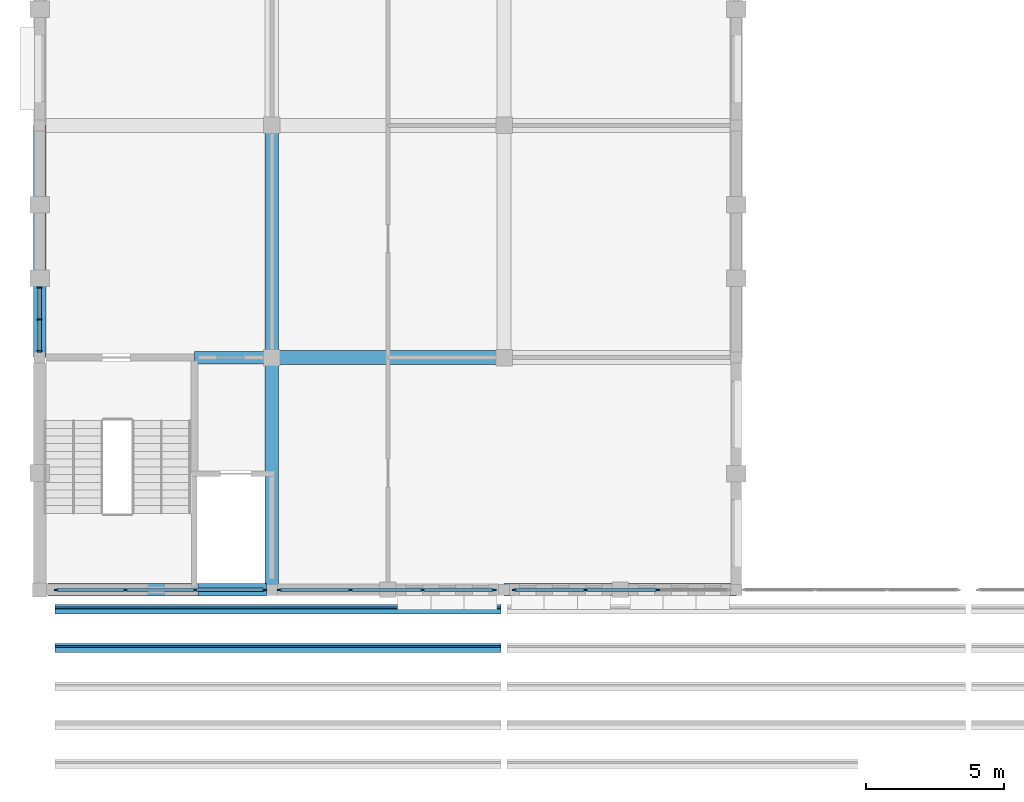
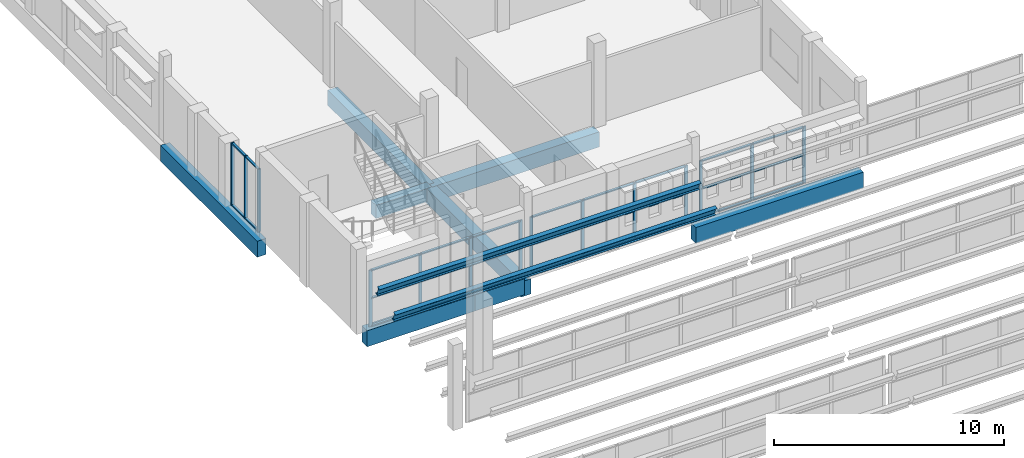
# One storey, part 12 of 116: 44 members, 8 beams, 4 elements without a shape of their own.
"""IFC4 building model written with IfcOpenShell, lengths in metres."""

from ifc_helpers import new_model, si_unit, direction, frame, origin, origin_2d, place, context, subcontext, project, spatial, rectangle, i_section, extrude, material, material_profile, profile_set, type_object, element, aggregate, save


model = new_model("IFC4")

# Units and contexts
model_context = context("Model", 3, precision=1e-05, world=origin(), true_north=direction((0.0, 1.0)))
body_context = subcontext(model_context, "Body", "Model", "MODEL_VIEW")
ifc_project = project(units=[si_unit("LENGTHUNIT", "METRE"), si_unit("AREAUNIT", "SQUARE_METRE"), si_unit("VOLUMEUNIT", "CUBIC_METRE"), si_unit("PLANEANGLEUNIT", "RADIAN"), si_unit("MASSUNIT", "GRAM", prefix="KILO")], contexts=[model_context])

# Site, building, storey
site_placement = place(None, origin())
site = spatial("IfcSite", under=ifc_project, at=site_placement, CompositionType="ELEMENT")
building_placement = place(site_placement, origin())
building = spatial("IfcBuilding", under=site, at=building_placement, Name="Fescue Hill Polytechnic", CompositionType="ELEMENT")
storey_placement = place(building_placement, frame((0.0, 0.0, 13.5)))
storey = spatial("IfcBuildingStorey", under=building, at=storey_placement, Name="L03", CompositionType="ELEMENT", Elevation=13.5)

# Beams
ifc_material_1 = material(Name="Concrete 35 MPa", Category="concrete")
ifc_material_profile_1 = material_profile(ifc_material_1, rectangle(XDim=0.449951171875, YDim=0.699951171875, at=origin_2d()), Name="RC 450x700")
ifc_profile_set_1 = profile_set([ifc_material_profile_1], Name="Concrete 35 MPa")
beam_type_1 = type_object("IfcBeamType", Name="Beam RC 450x700", PredefinedType="BEAM", material=ifc_profile_set_1)
beam_1_placement = place(storey_placement, frame((5.60009765625, 58.800048828125, -0.64990234375), z_axis=(1.0, 0.0, 0.0), x_axis=(0.0, 1.0, 0.0)))
element("IfcBeam", 1, at=beam_1_placement, inside=storey, type_object=beam_type_1, Name="BM-L03-0014", PredefinedType="BEAM", context=body_context, shape_type="SweptSolid", body=[
    extrude(rectangle(XDim=0.449951171875, YDim=0.699951171875, at=origin_2d()), origin(), (0.0, 0.0, 1.0), 2.789794921875),
])
ifc_material_profile_2 = material_profile(ifc_material_1, rectangle(XDim=0.449951171875, YDim=0.85009765625, at=origin_2d()), Name="RC 450x850")
ifc_profile_set_2 = profile_set([ifc_material_profile_2], Name="Concrete 35 MPa")
beam_type_2 = type_object("IfcBeamType", Name="Beam RC 450x850", PredefinedType="BEAM", material=ifc_profile_set_2)
for number, where, z_axis, x_axis, name in (
    (2, (0.0, 58.800048828125, -0.72509765625), (0.0, 1.0, 0.0), (-1.0, 0.0, 0.0), "BM-L03-0001"),
    (3, (16.800048828125, 50.39990234375, -0.72509765625), (1.0, 0.0, 0.0), (0.0, 1.0, 0.0), "BM-L03-0032"),
):
    element("IfcBeam", number, at=place(storey_placement, frame(where, z_axis=z_axis, x_axis=x_axis)), inside=storey, type_object=beam_type_2, Name=name, PredefinedType="BEAM", context=body_context, shape_type="SweptSolid", body=[
        extrude(rectangle(XDim=0.449951171875, YDim=0.85009765625, at=origin_2d()), origin(), (0.0, 0.0, 1.0), 8.39990234375),
    ])
beam_2_placement = place(storey_placement, frame((0.300048828125, 50.39990234375, -0.425048828125), z_axis=(1.0, 0.0, 0.0), x_axis=(0.0, 1.0, 0.0)))
element("IfcBeam", 4, at=beam_2_placement, inside=storey, type_object=beam_type_2, Name="BM-L03-0130", PredefinedType="BEAM", context=body_context, shape_type="SweptSolid", body=[
    extrude(rectangle(XDim=0.449951171875, YDim=0.85009765625, at=origin_2d()), origin(), (0.0, 0.0, 1.0), 5.425048828125),
])
beam_3_placement = place(storey_placement, frame((5.72509765625, 50.39990234375, -0.425048828125), z_axis=(1.0, 0.0, 0.0), x_axis=(0.0, 1.0, 0.0)))
element("IfcBeam", 5, at=beam_3_placement, inside=storey, type_object=beam_type_2, Name="BM-L03-0131", PredefinedType="BEAM", context=body_context, shape_type="SweptSolid", body=[
    extrude(rectangle(XDim=0.449951171875, YDim=0.85009765625, at=origin_2d()), origin(), (0.0, 0.0, 1.0), 2.474853515625),
])
ifc_material_profile_3 = material_profile(ifc_material_1, rectangle(XDim=0.5, YDim=0.800048828125, at=origin_2d()), Name="RC 500x800")
ifc_profile_set_3 = profile_set([ifc_material_profile_3], Name="Concrete 35 MPa")
beam_type_3 = type_object("IfcBeamType", Name="Beam RC 500x800", PredefinedType="BEAM", material=ifc_profile_set_3)
beam_4_placement = place(storey_placement, frame((8.39990234375, 50.39990234375, -0.699951171875), z_axis=(0.0, 1.0, 0.0), x_axis=(-1.0, 0.0, 0.0)))
element("IfcBeam", 6, at=beam_4_placement, inside=storey, type_object=beam_type_3, Name="BM-L03-0016", PredefinedType="BEAM", context=body_context, shape_type="SweptSolid", body=[
    extrude(rectangle(XDim=0.5, YDim=0.800048828125, at=origin_2d()), origin(), (0.0, 0.0, 1.0), 8.400146484375),
])
beam_5_placement = place(storey_placement, frame((8.39990234375, 58.800048828125, -0.699951171875), z_axis=(0.0, 1.0, 0.0), x_axis=(-1.0, 0.0, 0.0)))
element("IfcBeam", 7, at=beam_5_placement, inside=storey, type_object=beam_type_3, Name="BM-L03-0017", PredefinedType="BEAM", context=body_context, shape_type="SweptSolid", body=[
    extrude(rectangle(XDim=0.5, YDim=0.800048828125, at=origin_2d()), origin(), (0.0, 0.0, 1.0), 8.39990234375),
])
beam_6_placement = place(storey_placement, frame((8.409912109375, 58.800048828125, -0.699951171875), z_axis=(1.0, 0.0, 0.0), x_axis=(0.0, 1.0, 0.0)))
element("IfcBeam", 8, at=beam_6_placement, inside=storey, type_object=beam_type_3, Name="BM-L03-0024", PredefinedType="BEAM", context=body_context, shape_type="SweptSolid", body=[
    extrude(rectangle(XDim=0.5, YDim=0.800048828125, at=origin_2d()), origin(), (0.0, 0.0, 1.0), 8.380126953125),
])

# Curtain wall, members
ifc_material_2 = material(Name="Aluminium and glass", Category="aluminium")
curtain_wall_type_1 = type_object("IfcCurtainWallType", Name="Sawtooth north glazing curtain wall", PredefinedType="NOTDEFINED", material=ifc_material_2)
curtain_wall_1_placement = place(storey_placement, origin())
curtain_wall_1 = element("IfcCurtainWall", 9, at=curtain_wall_1_placement, inside=storey, type_object=curtain_wall_type_1, Name="Sawtooth 4 north glazing bay 1 part 1", PredefinedType="NOTDEFINED")
ifc_material_3 = material(Name="Aluminium", Category="aluminium")
ifc_material_profile_4 = material_profile(ifc_material_3, rectangle(XDim=0.06005859375, YDim=0.159912109375, at=origin_2d()), Name="Curtain wall mullion 60x160")
ifc_profile_set_4 = profile_set([ifc_material_profile_4], Name="Aluminium")
member_type_1 = type_object("IfcMemberType", Name="Curtain wall mullion 60x160", PredefinedType="MULLION", material=ifc_profile_set_4)
member_1_placement = place(storey_placement, frame((0.60009765625, 50.39990234375, 0.0), z_axis=(0.0, 0.0, 1.0), x_axis=(0.0, 1.0, 0.0)))
member_1 = element("IfcMember", 10, at=member_1_placement, type_object=member_type_1, Name="CW22 mullion 1", PredefinedType="MULLION", context=body_context, shape_type="SweptSolid", body=[
    extrude(rectangle(XDim=0.06005859375, YDim=0.159912109375, at=origin_2d()), origin(), (0.0, 0.0, 1.0), 3.0),
])
member_2_placement = place(storey_placement, frame((3.10009765625, 50.39990234375, 0.0), z_axis=(0.0, 0.0, 1.0), x_axis=(0.0, 1.0, 0.0)))
member_2 = element("IfcMember", 11, at=member_2_placement, type_object=member_type_1, Name="CW22 mullion 2", PredefinedType="MULLION", context=body_context, shape_type="SweptSolid", body=[
    extrude(rectangle(XDim=0.06005859375, YDim=0.159912109375, at=origin_2d()), origin(), (0.0, 0.0, 1.0), 3.0),
])
member_3_placement = place(storey_placement, frame((5.6298828125, 50.39990234375, 0.0), z_axis=(0.0, 0.0, 1.0), x_axis=(0.0, 1.0, 0.0)))
member_3 = element("IfcMember", 12, at=member_3_placement, type_object=member_type_1, Name="CW22 mullion 3", PredefinedType="MULLION", context=body_context, shape_type="SweptSolid", body=[
    extrude(rectangle(XDim=0.06005859375, YDim=0.159912109375, at=origin_2d()), origin(), (0.0, 0.0, 1.0), 3.0),
])
member_4_placement = place(storey_placement, frame((8.1298828125, 50.39990234375, 0.0), z_axis=(0.0, 0.0, 1.0), x_axis=(0.0, 1.0, 0.0)))
member_4 = element("IfcMember", 13, at=member_4_placement, type_object=member_type_1, Name="CW22 mullion 4", PredefinedType="MULLION", context=body_context, shape_type="SweptSolid", body=[
    extrude(rectangle(XDim=0.06005859375, YDim=0.159912109375, at=origin_2d()), origin(), (0.0, 0.0, 1.0), 3.0),
])

curtain_wall_2_placement = place(storey_placement, origin())
curtain_wall_2 = element("IfcCurtainWall", 14, at=curtain_wall_2_placement, inside=storey, type_object=curtain_wall_type_1, Name="Sawtooth 4 north glazing bay 1 part 2", PredefinedType="NOTDEFINED")
member_5_placement = place(storey_placement, frame((8.669921875, 50.39990234375, 0.0), z_axis=(0.0, 0.0, 1.0), x_axis=(0.0, 1.0, 0.0)))
member_5 = element("IfcMember", 15, at=member_5_placement, type_object=member_type_1, Name="CW23 mullion 1", PredefinedType="MULLION", context=body_context, shape_type="SweptSolid", body=[
    extrude(rectangle(XDim=0.06005859375, YDim=0.159912109375, at=origin_2d()), origin(), (0.0, 0.0, 1.0), 3.0),
])
member_6_placement = place(storey_placement, frame((11.24658203125, 50.39990234375, 0.0), z_axis=(0.0, 0.0, 1.0), x_axis=(0.0, 1.0, 0.0)))
member_6 = element("IfcMember", 16, at=member_6_placement, type_object=member_type_1, Name="CW23 mullion 2", PredefinedType="MULLION", context=body_context, shape_type="SweptSolid", body=[
    extrude(rectangle(XDim=0.06005859375, YDim=0.159912109375, at=origin_2d()), origin(), (0.0, 0.0, 1.0), 3.0),
])
member_7_placement = place(storey_placement, frame((13.853271484375, 50.39990234375, 0.0), z_axis=(0.0, 0.0, 1.0), x_axis=(0.0, 1.0, 0.0)))
member_7 = element("IfcMember", 17, at=member_7_placement, type_object=member_type_1, Name="CW23 mullion 3", PredefinedType="MULLION", context=body_context, shape_type="SweptSolid", body=[
    extrude(rectangle(XDim=0.06005859375, YDim=0.159912109375, at=origin_2d()), origin(), (0.0, 0.0, 1.0), 3.0),
])
member_8_placement = place(storey_placement, frame((16.429931640625, 50.39990234375, 0.0), z_axis=(0.0, 0.0, 1.0), x_axis=(0.0, 1.0, 0.0)))
member_8 = element("IfcMember", 18, at=member_8_placement, type_object=member_type_1, Name="CW23 mullion 4", PredefinedType="MULLION", context=body_context, shape_type="SweptSolid", body=[
    extrude(rectangle(XDim=0.06005859375, YDim=0.159912109375, at=origin_2d()), origin(), (0.0, 0.0, 1.0), 3.0),
])

curtain_wall_3_placement = place(storey_placement, origin())
curtain_wall_3 = element("IfcCurtainWall", 19, at=curtain_wall_3_placement, inside=storey, type_object=curtain_wall_type_1, Name="Sawtooth 4 north glazing bay 2 part 1", PredefinedType="NOTDEFINED")
member_9_placement = place(storey_placement, frame((17.169921875, 50.39990234375, 0.0), z_axis=(0.0, 0.0, 1.0), x_axis=(0.0, 1.0, 0.0)))
member_9 = element("IfcMember", 20, at=member_9_placement, type_object=member_type_1, Name="CW24 mullion 1", PredefinedType="MULLION", context=body_context, shape_type="SweptSolid", body=[
    extrude(rectangle(XDim=0.06005859375, YDim=0.159912109375, at=origin_2d()), origin(), (0.0, 0.0, 1.0), 3.0),
])
member_10_placement = place(storey_placement, frame((19.74658203125, 50.39990234375, 0.0), z_axis=(0.0, 0.0, 1.0), x_axis=(0.0, 1.0, 0.0)))
member_10 = element("IfcMember", 21, at=member_10_placement, type_object=member_type_1, Name="CW24 mullion 2", PredefinedType="MULLION", context=body_context, shape_type="SweptSolid", body=[
    extrude(rectangle(XDim=0.06005859375, YDim=0.159912109375, at=origin_2d()), origin(), (0.0, 0.0, 1.0), 3.0),
])
member_11_placement = place(storey_placement, frame((22.353271484375, 50.39990234375, 0.0), z_axis=(0.0, 0.0, 1.0), x_axis=(0.0, 1.0, 0.0)))
member_11 = element("IfcMember", 22, at=member_11_placement, type_object=member_type_1, Name="CW24 mullion 3", PredefinedType="MULLION", context=body_context, shape_type="SweptSolid", body=[
    extrude(rectangle(XDim=0.06005859375, YDim=0.159912109375, at=origin_2d()), origin(), (0.0, 0.0, 1.0), 3.0),
])

# Member
ifc_material_profile_5 = material_profile(ifc_material_3, rectangle(XDim=0.1201171875, YDim=0.06005859375, at=origin_2d()), Name="Curtain wall transom 60x120")
ifc_profile_set_5 = profile_set([ifc_material_profile_5], Name="Aluminium")
member_type_2 = type_object("IfcMemberType", Name="Curtain wall transom 60x120", PredefinedType="USERDEFINED", material=ifc_profile_set_5)
member_12_placement = place(storey_placement, frame((0.6298828125, 50.39990234375, 0.030029296875), z_axis=(1.0, 0.0, 0.0), x_axis=(0.0, 1.0, 0.0)))
member_12 = element("IfcMember", 23, at=member_12_placement, type_object=member_type_2, Name="CW22 transom 1.1", ObjectType="TRANSOM", PredefinedType="USERDEFINED", context=body_context, shape_type="SweptSolid", body=[
    extrude(rectangle(XDim=0.1201171875, YDim=0.06005859375, at=origin_2d()), origin(), (0.0, 0.0, 1.0), 2.440185546875),
])

member_13_placement = place(storey_placement, frame((0.6298828125, 50.39990234375, 1.5), z_axis=(1.0, 0.0, 0.0), x_axis=(0.0, 1.0, 0.0)))
member_13 = element("IfcMember", 24, at=member_13_placement, type_object=member_type_2, Name="CW22 transom 1.2", ObjectType="TRANSOM", PredefinedType="USERDEFINED", context=body_context, shape_type="SweptSolid", body=[
    extrude(rectangle(XDim=0.1201171875, YDim=0.06005859375, at=origin_2d()), origin(), (0.0, 0.0, 1.0), 2.440185546875),
])

member_14_placement = place(storey_placement, frame((0.6298828125, 50.39990234375, 2.969970703125), z_axis=(1.0, 0.0, 0.0), x_axis=(0.0, 1.0, 0.0)))
member_14 = element("IfcMember", 25, at=member_14_placement, type_object=member_type_2, Name="CW22 transom 1.3", ObjectType="TRANSOM", PredefinedType="USERDEFINED", context=body_context, shape_type="SweptSolid", body=[
    extrude(rectangle(XDim=0.1201171875, YDim=0.06005859375, at=origin_2d()), origin(), (0.0, 0.0, 1.0), 2.440185546875),
])

member_15_placement = place(storey_placement, frame((3.1298828125, 50.39990234375, 0.030029296875), z_axis=(1.0, 0.0, 0.0), x_axis=(0.0, 1.0, 0.0)))
member_15 = element("IfcMember", 26, at=member_15_placement, type_object=member_type_2, Name="CW22 transom 2.1", ObjectType="TRANSOM", PredefinedType="USERDEFINED", context=body_context, shape_type="SweptSolid", body=[
    extrude(rectangle(XDim=0.1201171875, YDim=0.06005859375, at=origin_2d()), origin(), (0.0, 0.0, 1.0), 2.47021484375),
])

member_16_placement = place(storey_placement, frame((3.1298828125, 50.39990234375, 1.5), z_axis=(1.0, 0.0, 0.0), x_axis=(0.0, 1.0, 0.0)))
member_16 = element("IfcMember", 27, at=member_16_placement, type_object=member_type_2, Name="CW22 transom 2.2", ObjectType="TRANSOM", PredefinedType="USERDEFINED", context=body_context, shape_type="SweptSolid", body=[
    extrude(rectangle(XDim=0.1201171875, YDim=0.06005859375, at=origin_2d()), origin(), (0.0, 0.0, 1.0), 2.47021484375),
])

member_17_placement = place(storey_placement, frame((3.1298828125, 50.39990234375, 2.969970703125), z_axis=(1.0, 0.0, 0.0), x_axis=(0.0, 1.0, 0.0)))
member_17 = element("IfcMember", 28, at=member_17_placement, type_object=member_type_2, Name="CW22 transom 2.3", ObjectType="TRANSOM", PredefinedType="USERDEFINED", context=body_context, shape_type="SweptSolid", body=[
    extrude(rectangle(XDim=0.1201171875, YDim=0.06005859375, at=origin_2d()), origin(), (0.0, 0.0, 1.0), 2.47021484375),
])

member_18_placement = place(storey_placement, frame((5.659912109375, 50.39990234375, 0.030029296875), z_axis=(1.0, 0.0, 0.0), x_axis=(0.0, 1.0, 0.0)))
member_18 = element("IfcMember", 29, at=member_18_placement, type_object=member_type_2, Name="CW22 transom 3.1", ObjectType="TRANSOM", PredefinedType="USERDEFINED", context=body_context, shape_type="SweptSolid", body=[
    extrude(rectangle(XDim=0.1201171875, YDim=0.06005859375, at=origin_2d()), origin(), (0.0, 0.0, 1.0), 2.440185546875),
])

member_19_placement = place(storey_placement, frame((5.659912109375, 50.39990234375, 1.5), z_axis=(1.0, 0.0, 0.0), x_axis=(0.0, 1.0, 0.0)))
member_19 = element("IfcMember", 30, at=member_19_placement, type_object=member_type_2, Name="CW22 transom 3.2", ObjectType="TRANSOM", PredefinedType="USERDEFINED", context=body_context, shape_type="SweptSolid", body=[
    extrude(rectangle(XDim=0.1201171875, YDim=0.06005859375, at=origin_2d()), origin(), (0.0, 0.0, 1.0), 2.440185546875),
])

member_20_placement = place(storey_placement, frame((5.659912109375, 50.39990234375, 2.969970703125), z_axis=(1.0, 0.0, 0.0), x_axis=(0.0, 1.0, 0.0)))
member_20 = element("IfcMember", 31, at=member_20_placement, type_object=member_type_2, Name="CW22 transom 3.3", ObjectType="TRANSOM", PredefinedType="USERDEFINED", context=body_context, shape_type="SweptSolid", body=[
    extrude(rectangle(XDim=0.1201171875, YDim=0.06005859375, at=origin_2d()), origin(), (0.0, 0.0, 1.0), 2.440185546875),
])

aggregate(curtain_wall_1, [member_1, member_2, member_3, member_4, member_12, member_13, member_14, member_15, member_16, member_17, member_18, member_19, member_20])

member_21_placement = place(storey_placement, frame((8.699951171875, 50.39990234375, 0.030029296875), z_axis=(1.0, 0.0, 0.0), x_axis=(0.0, 1.0, 0.0)))
member_21 = element("IfcMember", 32, at=member_21_placement, type_object=member_type_2, Name="CW23 transom 1.1", ObjectType="TRANSOM", PredefinedType="USERDEFINED", context=body_context, shape_type="SweptSolid", body=[
    extrude(rectangle(XDim=0.1201171875, YDim=0.06005859375, at=origin_2d()), origin(), (0.0, 0.0, 1.0), 2.5166015625),
])

member_22_placement = place(storey_placement, frame((8.699951171875, 50.39990234375, 1.5), z_axis=(1.0, 0.0, 0.0), x_axis=(0.0, 1.0, 0.0)))
member_22 = element("IfcMember", 33, at=member_22_placement, type_object=member_type_2, Name="CW23 transom 1.2", ObjectType="TRANSOM", PredefinedType="USERDEFINED", context=body_context, shape_type="SweptSolid", body=[
    extrude(rectangle(XDim=0.1201171875, YDim=0.06005859375, at=origin_2d()), origin(), (0.0, 0.0, 1.0), 2.5166015625),
])

member_23_placement = place(storey_placement, frame((8.699951171875, 50.39990234375, 2.969970703125), z_axis=(1.0, 0.0, 0.0), x_axis=(0.0, 1.0, 0.0)))
member_23 = element("IfcMember", 34, at=member_23_placement, type_object=member_type_2, Name="CW23 transom 1.3", ObjectType="TRANSOM", PredefinedType="USERDEFINED", context=body_context, shape_type="SweptSolid", body=[
    extrude(rectangle(XDim=0.1201171875, YDim=0.06005859375, at=origin_2d()), origin(), (0.0, 0.0, 1.0), 2.5166015625),
])

member_24_placement = place(storey_placement, frame((11.276611328125, 50.39990234375, 0.030029296875), z_axis=(1.0, 0.0, 0.0), x_axis=(0.0, 1.0, 0.0)))
member_24 = element("IfcMember", 35, at=member_24_placement, type_object=member_type_2, Name="CW23 transom 2.1", ObjectType="TRANSOM", PredefinedType="USERDEFINED", context=body_context, shape_type="SweptSolid", body=[
    extrude(rectangle(XDim=0.1201171875, YDim=0.06005859375, at=origin_2d()), origin(), (0.0, 0.0, 1.0), 2.546630859375),
])

member_25_placement = place(storey_placement, frame((11.276611328125, 50.39990234375, 1.5), z_axis=(1.0, 0.0, 0.0), x_axis=(0.0, 1.0, 0.0)))
member_25 = element("IfcMember", 36, at=member_25_placement, type_object=member_type_2, Name="CW23 transom 2.2", ObjectType="TRANSOM", PredefinedType="USERDEFINED", context=body_context, shape_type="SweptSolid", body=[
    extrude(rectangle(XDim=0.1201171875, YDim=0.06005859375, at=origin_2d()), origin(), (0.0, 0.0, 1.0), 2.546630859375),
])

member_26_placement = place(storey_placement, frame((11.276611328125, 50.39990234375, 2.969970703125), z_axis=(1.0, 0.0, 0.0), x_axis=(0.0, 1.0, 0.0)))
member_26 = element("IfcMember", 37, at=member_26_placement, type_object=member_type_2, Name="CW23 transom 2.3", ObjectType="TRANSOM", PredefinedType="USERDEFINED", context=body_context, shape_type="SweptSolid", body=[
    extrude(rectangle(XDim=0.1201171875, YDim=0.06005859375, at=origin_2d()), origin(), (0.0, 0.0, 1.0), 2.546630859375),
])

member_27_placement = place(storey_placement, frame((13.88330078125, 50.39990234375, 0.030029296875), z_axis=(1.0, 0.0, 0.0), x_axis=(0.0, 1.0, 0.0)))
member_27 = element("IfcMember", 38, at=member_27_placement, type_object=member_type_2, Name="CW23 transom 3.1", ObjectType="TRANSOM", PredefinedType="USERDEFINED", context=body_context, shape_type="SweptSolid", body=[
    extrude(rectangle(XDim=0.1201171875, YDim=0.06005859375, at=origin_2d()), origin(), (0.0, 0.0, 1.0), 2.5166015625),
])

member_28_placement = place(storey_placement, frame((13.88330078125, 50.39990234375, 1.5), z_axis=(1.0, 0.0, 0.0), x_axis=(0.0, 1.0, 0.0)))
member_28 = element("IfcMember", 39, at=member_28_placement, type_object=member_type_2, Name="CW23 transom 3.2", ObjectType="TRANSOM", PredefinedType="USERDEFINED", context=body_context, shape_type="SweptSolid", body=[
    extrude(rectangle(XDim=0.1201171875, YDim=0.06005859375, at=origin_2d()), origin(), (0.0, 0.0, 1.0), 2.5166015625),
])

member_29_placement = place(storey_placement, frame((13.88330078125, 50.39990234375, 2.969970703125), z_axis=(1.0, 0.0, 0.0), x_axis=(0.0, 1.0, 0.0)))
member_29 = element("IfcMember", 40, at=member_29_placement, type_object=member_type_2, Name="CW23 transom 3.3", ObjectType="TRANSOM", PredefinedType="USERDEFINED", context=body_context, shape_type="SweptSolid", body=[
    extrude(rectangle(XDim=0.1201171875, YDim=0.06005859375, at=origin_2d()), origin(), (0.0, 0.0, 1.0), 2.5166015625),
])

aggregate(curtain_wall_2, [member_5, member_6, member_7, member_8, member_21, member_22, member_23, member_24, member_25, member_26, member_27, member_28, member_29])

member_30_placement = place(storey_placement, frame((17.199951171875, 50.39990234375, 0.030029296875), z_axis=(1.0, 0.0, 0.0), x_axis=(0.0, 1.0, 0.0)))
member_30 = element("IfcMember", 41, at=member_30_placement, type_object=member_type_2, Name="CW24 transom 1.1", ObjectType="TRANSOM", PredefinedType="USERDEFINED", context=body_context, shape_type="SweptSolid", body=[
    extrude(rectangle(XDim=0.1201171875, YDim=0.06005859375, at=origin_2d()), origin(), (0.0, 0.0, 1.0), 2.5166015625),
])

member_31_placement = place(storey_placement, frame((17.199951171875, 50.39990234375, 1.5), z_axis=(1.0, 0.0, 0.0), x_axis=(0.0, 1.0, 0.0)))
member_31 = element("IfcMember", 42, at=member_31_placement, type_object=member_type_2, Name="CW24 transom 1.2", ObjectType="TRANSOM", PredefinedType="USERDEFINED", context=body_context, shape_type="SweptSolid", body=[
    extrude(rectangle(XDim=0.1201171875, YDim=0.06005859375, at=origin_2d()), origin(), (0.0, 0.0, 1.0), 2.5166015625),
])

member_32_placement = place(storey_placement, frame((17.199951171875, 50.39990234375, 2.969970703125), z_axis=(1.0, 0.0, 0.0), x_axis=(0.0, 1.0, 0.0)))
member_32 = element("IfcMember", 43, at=member_32_placement, type_object=member_type_2, Name="CW24 transom 1.3", ObjectType="TRANSOM", PredefinedType="USERDEFINED", context=body_context, shape_type="SweptSolid", body=[
    extrude(rectangle(XDim=0.1201171875, YDim=0.06005859375, at=origin_2d()), origin(), (0.0, 0.0, 1.0), 2.5166015625),
])

member_33_placement = place(storey_placement, frame((19.776611328125, 50.39990234375, 0.030029296875), z_axis=(1.0, 0.0, 0.0), x_axis=(0.0, 1.0, 0.0)))
member_33 = element("IfcMember", 44, at=member_33_placement, type_object=member_type_2, Name="CW24 transom 2.1", ObjectType="TRANSOM", PredefinedType="USERDEFINED", context=body_context, shape_type="SweptSolid", body=[
    extrude(rectangle(XDim=0.1201171875, YDim=0.06005859375, at=origin_2d()), origin(), (0.0, 0.0, 1.0), 2.546630859375),
])

member_34_placement = place(storey_placement, frame((19.776611328125, 50.39990234375, 1.5), z_axis=(1.0, 0.0, 0.0), x_axis=(0.0, 1.0, 0.0)))
member_34 = element("IfcMember", 45, at=member_34_placement, type_object=member_type_2, Name="CW24 transom 2.2", ObjectType="TRANSOM", PredefinedType="USERDEFINED", context=body_context, shape_type="SweptSolid", body=[
    extrude(rectangle(XDim=0.1201171875, YDim=0.06005859375, at=origin_2d()), origin(), (0.0, 0.0, 1.0), 2.546630859375),
])

member_35_placement = place(storey_placement, frame((19.776611328125, 50.39990234375, 2.969970703125), z_axis=(1.0, 0.0, 0.0), x_axis=(0.0, 1.0, 0.0)))
member_35 = element("IfcMember", 46, at=member_35_placement, type_object=member_type_2, Name="CW24 transom 2.3", ObjectType="TRANSOM", PredefinedType="USERDEFINED", context=body_context, shape_type="SweptSolid", body=[
    extrude(rectangle(XDim=0.1201171875, YDim=0.06005859375, at=origin_2d()), origin(), (0.0, 0.0, 1.0), 2.546630859375),
])

aggregate(curtain_wall_3, [member_9, member_10, member_11, member_30, member_31, member_32, member_33, member_34, member_35])

# Curtain wall, members
ifc_material_4 = material(Name="Glass", Category="glass")
curtain_wall_type_2 = type_object("IfcCurtainWallType", Name="Curtain wall structural glazing", PredefinedType="NOTDEFINED", material=ifc_material_4)
curtain_wall_4_placement = place(storey_placement, origin())
curtain_wall_4 = element("IfcCurtainWall", 47, at=curtain_wall_4_placement, inside=storey, type_object=curtain_wall_type_2, Name="CW-L03-V4-X1", PredefinedType="NOTDEFINED")
ifc_material_5 = material(Name="Powder-coated aluminium", Category="aluminium")
ifc_material_profile_6 = material_profile(ifc_material_5, rectangle(XDim=0.159912109375, YDim=0.06005859375, at=origin_2d()), Name="Mullion aluminium 60x160")
ifc_profile_set_6 = profile_set([ifc_material_profile_6], Name="Powder-coated aluminium")
member_type_3 = type_object("IfcMemberType", Name="Mullion aluminium 60x160", PredefinedType="MULLION", material=ifc_profile_set_6)
member_36_placement = place(storey_placement, frame((0.0, 61.336669921875, 0.0), z_axis=(0.0, 0.0, 1.0), x_axis=(1.0, 0.0, 0.0)))
member_36 = element("IfcMember", 48, at=member_36_placement, type_object=member_type_3, Name="CW123 mullion 1", PredefinedType="MULLION", context=body_context, shape_type="SweptSolid", body=[
    extrude(rectangle(XDim=0.159912109375, YDim=0.06005859375, at=origin_2d()), origin(), (0.0, 0.0, 1.0), 3.330078125),
])
member_37_placement = place(storey_placement, frame((0.0, 60.183349609375, 0.0), z_axis=(0.0, 0.0, 1.0), x_axis=(1.0, 0.0, 0.0)))
member_37 = element("IfcMember", 49, at=member_37_placement, type_object=member_type_3, Name="CW123 mullion 2", PredefinedType="MULLION", context=body_context, shape_type="SweptSolid", body=[
    extrude(rectangle(XDim=0.159912109375, YDim=0.06005859375, at=origin_2d()), origin(), (0.0, 0.0, 1.0), 3.330078125),
])
member_38_placement = place(storey_placement, frame((0.0, 59.030029296875, 0.0), z_axis=(0.0, 0.0, 1.0), x_axis=(1.0, 0.0, 0.0)))
member_38 = element("IfcMember", 50, at=member_38_placement, type_object=member_type_3, Name="CW123 mullion 3", PredefinedType="MULLION", context=body_context, shape_type="SweptSolid", body=[
    extrude(rectangle(XDim=0.159912109375, YDim=0.06005859375, at=origin_2d()), origin(), (0.0, 0.0, 1.0), 3.330078125),
])

# Members
ifc_material_6 = material(Name="Steel 350W (350 MPa)", Category="steel")
ifc_material_profile_7 = material_profile(ifc_material_6, i_section(OverallWidth=0.18994140625, OverallDepth=0.45703125, WebThickness=0.009033203125, FlangeThickness=0.014404296875, FilletRadius=0.0166015625, at=origin_2d()), Name="W460x74")
ifc_profile_set_7 = profile_set([ifc_material_profile_7], Name="Steel 350W (350 MPa)")
member_type_4 = type_object("IfcMemberType", Name="Tooth purlin W460x74", PredefinedType="PURLIN", material=ifc_profile_set_7)
member_39_placement = place(storey_placement, frame((0.554443359375, 48.300048828125, 1.794921875), z_axis=(1.0, 0.0, 0.0), x_axis=(0.0, 0.941741911595, 0.336336396997)))
element("IfcMember", 51, at=member_39_placement, inside=storey, type_object=member_type_4, Name="Tooth 4 purlin 5 bay 1", PredefinedType="PURLIN", context=body_context, shape_type="SweptSolid", body=[
    extrude(i_section(OverallWidth=0.18994140625, OverallDepth=0.45703125, WebThickness=0.009033203125, FlangeThickness=0.014404296875, FilletRadius=0.0166015625, at=origin_2d()), origin(), (0.0, 0.0, 1.0), 16.14111328125),
])
ifc_material_profile_8 = material_profile(ifc_material_6, i_section(OverallWidth=0.193115234375, OverallDepth=0.466064453125, WebThickness=0.011474609375, FlangeThickness=0.01904296875, FilletRadius=0.01708984375, at=origin_2d()), Name="W460x97")
ifc_profile_set_8 = profile_set([ifc_material_profile_8], Name="Steel 350W (350 MPa)")
member_type_5 = type_object("IfcMemberType", Name="Tooth ridge purlin W460x97", PredefinedType="PURLIN", material=ifc_profile_set_8)
member_40_placement = place(storey_placement, frame((0.554443359375, 49.699951171875, 2.290283203125), z_axis=(1.0, 0.0, 0.0), x_axis=(0.0, 0.941741911595, 0.336336396997)))
element("IfcMember", 52, at=member_40_placement, inside=storey, type_object=member_type_5, Name="Tooth 4 ridge purlin bay 1", PredefinedType="PURLIN", context=body_context, shape_type="SweptSolid", body=[
    extrude(i_section(OverallWidth=0.193115234375, OverallDepth=0.466064453125, WebThickness=0.011474609375, FlangeThickness=0.01904296875, FilletRadius=0.01708984375, at=origin_2d()), origin(), (0.0, 0.0, 1.0), 16.14111328125),
])

# Member
ifc_material_profile_9 = material_profile(ifc_material_5, rectangle(XDim=0.1201171875, YDim=0.06005859375, at=origin_2d()), Name="Transom aluminium 60x120")
ifc_profile_set_9 = profile_set([ifc_material_profile_9], Name="Powder-coated aluminium")
member_type_6 = type_object("IfcMemberType", Name="Transom aluminium 60x120", PredefinedType="USERDEFINED", material=ifc_profile_set_9)
member_41_placement = place(storey_placement, frame((0.0, 61.306640625, 0.030029296875), z_axis=(0.0, -1.0, 0.0), x_axis=(1.0, 0.0, 0.0)))
member_41 = element("IfcMember", 53, at=member_41_placement, type_object=member_type_6, Name="CW123 transom 1.1", ObjectType="TRANSOM", PredefinedType="USERDEFINED", context=body_context, shape_type="SweptSolid", body=[
    extrude(rectangle(XDim=0.1201171875, YDim=0.06005859375, at=origin_2d()), origin(), (0.0, 0.0, 1.0), 1.09326171875),
])

member_42_placement = place(storey_placement, frame((0.0, 61.306640625, 3.300048828125), z_axis=(0.0, -1.0, 0.0), x_axis=(1.0, 0.0, 0.0)))
member_42 = element("IfcMember", 54, at=member_42_placement, type_object=member_type_6, Name="CW123 transom 1.2", ObjectType="TRANSOM", PredefinedType="USERDEFINED", context=body_context, shape_type="SweptSolid", body=[
    extrude(rectangle(XDim=0.1201171875, YDim=0.06005859375, at=origin_2d()), origin(), (0.0, 0.0, 1.0), 1.09326171875),
])

member_43_placement = place(storey_placement, frame((0.0, 60.1533203125, 0.030029296875), z_axis=(0.0, -1.0, 0.0), x_axis=(1.0, 0.0, 0.0)))
member_43 = element("IfcMember", 55, at=member_43_placement, type_object=member_type_6, Name="CW123 transom 2.1", ObjectType="TRANSOM", PredefinedType="USERDEFINED", context=body_context, shape_type="SweptSolid", body=[
    extrude(rectangle(XDim=0.1201171875, YDim=0.06005859375, at=origin_2d()), origin(), (0.0, 0.0, 1.0), 1.09326171875),
])

member_44_placement = place(storey_placement, frame((0.0, 60.1533203125, 3.300048828125), z_axis=(0.0, -1.0, 0.0), x_axis=(1.0, 0.0, 0.0)))
member_44 = element("IfcMember", 56, at=member_44_placement, type_object=member_type_6, Name="CW123 transom 2.2", ObjectType="TRANSOM", PredefinedType="USERDEFINED", context=body_context, shape_type="SweptSolid", body=[
    extrude(rectangle(XDim=0.1201171875, YDim=0.06005859375, at=origin_2d()), origin(), (0.0, 0.0, 1.0), 1.09326171875),
])

aggregate(curtain_wall_4, [member_36, member_37, member_38, member_41, member_42, member_43, member_44])

save(model, "model.ifc")
